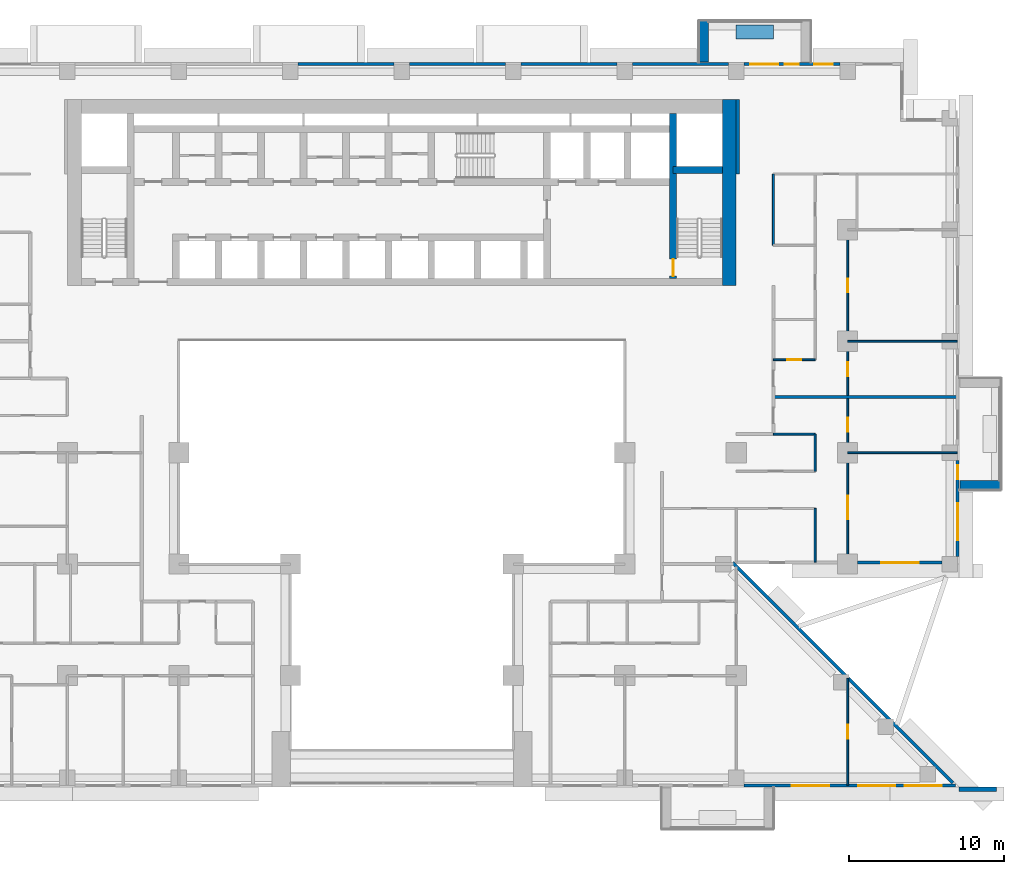
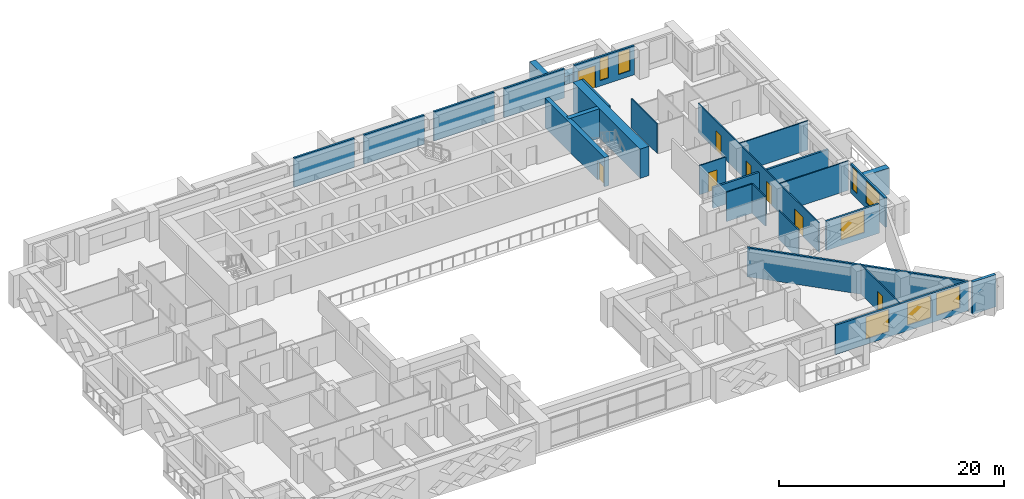
# One storey, part 11 of 16: 27 walls, 8 doors, 8 windows, 16 openings.
"""IFC4 building model written with IfcOpenShell, lengths in metres."""

from ifc_helpers import new_model, si_unit, direction, frame, frame_2d, origin, place, context, subcontext, project, spatial, rectangle, extrude, material, layer, layer_set, type_object, element, fill, save


model = new_model("IFC4")

# Units and contexts
model_context = context("Model", 3, precision=1e-05, world=origin(), true_north=direction((0.0, 1.0)))
body_context = subcontext(model_context, "Body", "Model", "MODEL_VIEW")
ifc_project = project(units=[si_unit("LENGTHUNIT", "METRE"), si_unit("AREAUNIT", "SQUARE_METRE"), si_unit("VOLUMEUNIT", "CUBIC_METRE"), si_unit("PLANEANGLEUNIT", "RADIAN"), si_unit("MASSUNIT", "GRAM", prefix="KILO")], contexts=[model_context])

# Site, building, storey
site_placement = place(None, origin())
site = spatial("IfcSite", under=ifc_project, at=site_placement, CompositionType="ELEMENT")
building_placement = place(site_placement, origin())
building = spatial("IfcBuilding", under=site, at=building_placement, Name="Saffron Iwan Residences", CompositionType="ELEMENT")
storey_placement = place(building_placement, frame((0.0, 0.0, 90.0)))
storey = spatial("IfcBuildingStorey", under=building, at=storey_placement, Name="L23", CompositionType="ELEMENT", Elevation=90.0)

# Walls
ifc_material_1 = material(Name="Concrete C50/60 white painted", Category="concrete")
ifc_layer_1 = layer(ifc_material_1, 0.60009765625)
ifc_layer_set_1 = layer_set([ifc_layer_1], Name="Concrete C50/60 white painted")
wall_type_1 = type_object("IfcWallType", Name="BALCONY FIN 600", PredefinedType="SOLIDWALL", material=ifc_layer_set_1)
for number, where, z_axis, x_axis, name in (
    (1, (86.449951171875, 53.10009765625, 0.0), (0.0, 0.0, 1.0), (1.0, 0.0, 0.0), "Balcony fin L23 F2-0a"),
    (2, (69.89990234375, 80.449951171875, 0.0), (0.0, 0.0, 1.0), (0.0, 1.0, 0.0), "Balcony fin L23 F5-0b"),
):
    element("IfcWall", number, at=place(storey_placement, frame(where, z_axis=z_axis, x_axis=x_axis)), inside=storey, type_object=wall_type_1, Name=name, PredefinedType="SOLIDWALL", context=body_context, shape_type="SweptSolid", body=[
        extrude(rectangle(XDim=2.650146484375, YDim=0.60009765625, at=frame_2d((1.3251953125, 0.0))), origin(), (0.0, 0.0, 1.0), 2.85009765625),
    ])
ifc_material_2 = material(Name="Concrete C35/45 white painted", Category="concrete")
ifc_layer_2 = layer(ifc_material_2, 0.14990234375)
ifc_layer_set_2 = layer_set([ifc_layer_2], Name="Concrete C35/45 white painted")
wall_type_2 = type_object("IfcWallType", Name="BALCONY PLANTER", PredefinedType="SOLIDWALL", material=ifc_layer_set_2)
wall_1_placement = place(storey_placement, frame((74.39990234375, 82.375, 0.0), z_axis=(0.0, 0.0, 1.0), x_axis=(-1.0, 0.0, 0.0)))
element("IfcWall", 3, at=wall_1_placement, inside=storey, type_object=wall_type_2, Name="PLANTER L23 F5-0", PredefinedType="SOLIDWALL", context=body_context, shape_type="SweptSolid", body=[
    extrude(rectangle(XDim=2.39990234375, YDim=0.89990234375, at=frame_2d((1.199951171875, 0.0))), origin(), (0.0, 0.0, 1.0), 0.89990234375),
])
ifc_material_3 = material(Name="Concrete C40/50", Category="concrete")
ifc_layer_3 = layer(ifc_material_3, 0.199951171875)
ifc_layer_set_3 = layer_set([ifc_layer_3], Name="Concrete C40/50")
wall_type_3 = type_object("IfcWallType", Name="EXTERNAL WALL 200", PredefinedType="SOLIDWALL", material=ifc_layer_set_3)
wall_2_placement = place(storey_placement, frame((85.995849609375, 33.862548828125, 0.0), z_axis=(0.0, 0.0, 1.0), x_axis=(-0.707100718496, 0.707112843825, 0.0)))
element("IfcWall", 4, at=wall_2_placement, inside=storey, type_object=wall_type_3, Name="External wall L23 F0.0", PredefinedType="SOLIDWALL", context=body_context, shape_type="SweptSolid", body=[
    extrude(rectangle(XDim=20.134765625, YDim=0.199951171875, at=frame_2d((10.0673828125, 0.0))), origin(), (0.0, 0.0, 1.0), 3.179931640625),
])

# Wall, opening, window
wall_3_placement = place(storey_placement, frame((79.85009765625, 48.10009765625, 0.0), z_axis=(0.0, 0.0, 1.0), x_axis=(1.0, 0.0, 0.0)))
wall_3 = element("IfcWall", 5, at=wall_3_placement, inside=storey, type_object=wall_type_3, Name="External wall L23 F1.1", PredefinedType="SOLIDWALL", context=body_context, shape_type="SweptSolid", body=[
    extrude(rectangle(XDim=5.449951171875, YDim=0.199951171875, at=frame_2d((2.72509765625, 0.0))), origin(), (0.0, 0.0, 1.0), 3.179931640625),
])
opening_1_placement = place(wall_3_placement, frame((1.52490234375, 0.0, 0.60009765625)))
opening_1 = element("IfcOpeningElement", 6, at=opening_1_placement, cuts=wall_3, Name="Opening W1", PredefinedType="OPENING", context=body_context, shape_type="SweptSolid", body=[
    extrude(rectangle(XDim=2.39990234375, YDim=2.39990234375, at=frame_2d((1.199951171875, 1.199951171875))), frame((0.0, 0.10986328125, 0.0), z_axis=(0.0, -1.0, 0.0), x_axis=(1.0, 0.0, 0.0)), (0.0, 0.0, 1.0), 0.219970703125),
])
ifc_material_4 = material(Name="Clear glass, laminated double glazed", Category="glass")
window_type_1 = type_object("IfcWindowType", Name="WINDOW 2400 x 2400", PartitioningType="DOUBLE_PANEL_VERTICAL", PredefinedType="WINDOW", material=ifc_material_4)
window_1_placement = place(opening_1_placement, origin())
window_1 = element("IfcWindow", 7, at=window_1_placement, inside=storey, type_object=window_type_1, Name="Window L23 F1.0", OverallHeight=2.39990234375, OverallWidth=2.39990234375, PartitioningType="DOUBLE_PANEL_VERTICAL", PredefinedType="WINDOW", context=body_context, shape_type="SweptSolid", body=[
    extrude(rectangle(XDim=2.39990234375, YDim=2.39990234375, at=frame_2d((1.199951171875, 1.199951171875))), frame((0.0, 0.030029296875, 0.0), z_axis=(0.0, -1.0, 0.0), x_axis=(1.0, 0.0, 0.0)), (0.0, 0.0, 1.0), 0.06005859375),
])
fill(opening_1, window_1)

# Wall, openings, windows
wall_4_placement = place(storey_placement, frame((86.300048828125, 48.5, 0.0), z_axis=(0.0, 0.0, 1.0), x_axis=(0.0, 1.0, 0.0)))
wall_4 = element("IfcWall", 8, at=wall_4_placement, inside=storey, type_object=wall_type_3, Name="External wall L23 F2.0", PredefinedType="SOLIDWALL", context=body_context, shape_type="SweptSolid", body=[
    extrude(rectangle(XDim=6.199951171875, YDim=0.199951171875, at=frame_2d((3.10009765625, 0.0))), origin(), (0.0, 0.0, 1.0), 3.179931640625),
])
opening_2_placement = place(wall_4_placement, frame((1.050048828125, 0.0, 0.60009765625)))
opening_2 = element("IfcOpeningElement", 9, at=opening_2_placement, cuts=wall_4, Name="Opening W1", PredefinedType="OPENING", context=body_context, shape_type="SweptSolid", body=[
    extrude(rectangle(XDim=2.39990234375, YDim=2.39990234375, at=frame_2d((1.199951171875, 1.199951171875))), frame((0.0, 0.10986328125, 0.0), z_axis=(0.0, -1.0, 0.0), x_axis=(1.0, 0.0, 0.0)), (0.0, 0.0, 1.0), 0.219970703125),
])
opening_3_placement = place(wall_4_placement, frame((5.0, 0.0, 0.60009765625)))
opening_3 = element("IfcOpeningElement", 10, at=opening_3_placement, cuts=wall_4, Name="Opening W10", PredefinedType="OPENING", context=body_context, shape_type="SweptSolid", body=[
    extrude(rectangle(XDim=0.89990234375, YDim=2.39990234375, at=frame_2d((0.449951171875, 1.199951171875))), frame((0.0, 0.10986328125, 0.0), z_axis=(0.0, -1.0, 0.0), x_axis=(1.0, 0.0, 0.0)), (0.0, 0.0, 1.0), 0.219970703125),
])
window_2_placement = place(opening_2_placement, origin())
window_2 = element("IfcWindow", 11, at=window_2_placement, inside=storey, type_object=window_type_1, Name="Window L23 F2.0", OverallHeight=2.39990234375, OverallWidth=2.39990234375, PartitioningType="DOUBLE_PANEL_VERTICAL", PredefinedType="WINDOW", context=body_context, shape_type="SweptSolid", body=[
    extrude(rectangle(XDim=2.39990234375, YDim=2.39990234375, at=frame_2d((1.199951171875, 1.199951171875))), frame((0.0, 0.030029296875, 0.0), z_axis=(0.0, -1.0, 0.0), x_axis=(1.0, 0.0, 0.0)), (0.0, 0.0, 1.0), 0.06005859375),
])
fill(opening_2, window_2)
window_type_2 = type_object("IfcWindowType", Name="WINDOW 900 x 2400", PartitioningType="SINGLE_PANEL", PredefinedType="WINDOW", material=ifc_material_4)
window_3_placement = place(opening_3_placement, origin())
window_3 = element("IfcWindow", 12, at=window_3_placement, inside=storey, type_object=window_type_2, Name="Window L23 F2.1", OverallHeight=2.39990234375, OverallWidth=0.89990234375, PartitioningType="SINGLE_PANEL", PredefinedType="WINDOW", context=body_context, shape_type="SweptSolid", body=[
    extrude(rectangle(XDim=0.89990234375, YDim=2.39990234375, at=frame_2d((0.449951171875, 1.199951171875))), frame((0.0, 0.030029296875, 0.0), z_axis=(0.0, -1.0, 0.0), x_axis=(1.0, 0.0, 0.0)), (0.0, 0.0, 1.0), 0.06005859375),
])
fill(opening_3, window_3)

# Wall, openings, door, windows
wall_5_placement = place(storey_placement, frame((78.699951171875, 80.300048828125, 0.0), z_axis=(0.0, 0.0, 1.0), x_axis=(-1.0, 0.0, 0.0)))
wall_5 = element("IfcWall", 13, at=wall_5_placement, inside=storey, type_object=wall_type_3, Name="External wall L23 F5.1", PredefinedType="SOLIDWALL", context=body_context, shape_type="SweptSolid", body=[
    extrude(rectangle(XDim=6.199951171875, YDim=0.199951171875, at=frame_2d((3.10009765625, 0.0))), origin(), (0.0, 0.0, 1.0), 3.179931640625),
])
opening_4_placement = place(wall_5_placement, frame((4.0, 0.0, 0.0)))
opening_4 = element("IfcOpeningElement", 14, at=opening_4_placement, cuts=wall_5, Name="Opening BD1", PredefinedType="OPENING", context=body_context, shape_type="SweptSolid", body=[
    extrude(rectangle(XDim=1.800048828125, YDim=2.39990234375, at=frame_2d((0.89990234375, 1.199951171875))), frame((0.0, 0.10986328125, 0.0), z_axis=(0.0, -1.0, 0.0), x_axis=(1.0, 0.0, 0.0)), (0.0, 0.0, 1.0), 0.219970703125),
])
opening_5_placement = place(wall_5_placement, frame((0.449951171875, 0.0, 0.60009765625)))
opening_5 = element("IfcOpeningElement", 15, at=opening_5_placement, cuts=wall_5, Name="Opening W3", PredefinedType="OPENING", context=body_context, shape_type="SweptSolid", body=[
    extrude(rectangle(XDim=1.199951171875, YDim=2.39990234375, at=frame_2d((0.60009765625, 1.199951171875))), frame((0.0, 0.10986328125, 0.0), z_axis=(0.0, -1.0, 0.0), x_axis=(1.0, 0.0, 0.0)), (0.0, 0.0, 1.0), 0.219970703125),
])
opening_6_placement = place(wall_5_placement, frame((2.64990234375, 0.0, 0.60009765625)))
opening_6 = element("IfcOpeningElement", 16, at=opening_6_placement, cuts=wall_5, Name="Opening W10", PredefinedType="OPENING", context=body_context, shape_type="SweptSolid", body=[
    extrude(rectangle(XDim=0.89990234375, YDim=2.39990234375, at=frame_2d((0.449951171875, 1.199951171875))), frame((0.0, 0.10986328125, 0.0), z_axis=(0.0, -1.0, 0.0), x_axis=(1.0, 0.0, 0.0)), (0.0, 0.0, 1.0), 0.219970703125),
])
door_type_1 = type_object("IfcDoorType", Name="BALCONY DOOR 1800 x 2400", OperationType="DOUBLE_DOOR_SLIDING", PredefinedType="DOOR", material=ifc_material_4)
door_1_placement = place(opening_4_placement, origin())
door_1 = element("IfcDoor", 17, at=door_1_placement, inside=storey, type_object=door_type_1, Name="Balcony door L23 F5.0", OperationType="DOUBLE_DOOR_SLIDING", OverallHeight=2.39990234375, OverallWidth=1.800048828125, PredefinedType="DOOR", context=body_context, shape_type="SweptSolid", body=[
    extrude(rectangle(XDim=1.800048828125, YDim=2.39990234375, at=frame_2d((0.89990234375, 1.199951171875))), frame((0.0, 0.02490234375, 0.0), z_axis=(0.0, -1.0, 0.0), x_axis=(1.0, 0.0, 0.0)), (0.0, 0.0, 1.0), 0.050048828125),
])
fill(opening_4, door_1)
window_type_3 = type_object("IfcWindowType", Name="WINDOW 1200 x 2400", PartitioningType="SINGLE_PANEL", PredefinedType="WINDOW", material=ifc_material_4)
window_4_placement = place(opening_5_placement, origin())
window_4 = element("IfcWindow", 18, at=window_4_placement, inside=storey, type_object=window_type_3, Name="Window L23 F5.1", OverallHeight=2.39990234375, OverallWidth=1.199951171875, PartitioningType="SINGLE_PANEL", PredefinedType="WINDOW", context=body_context, shape_type="SweptSolid", body=[
    extrude(rectangle(XDim=1.199951171875, YDim=2.39990234375, at=frame_2d((0.60009765625, 1.199951171875))), frame((0.0, 0.030029296875, 0.0), z_axis=(0.0, -1.0, 0.0), x_axis=(1.0, 0.0, 0.0)), (0.0, 0.0, 1.0), 0.06005859375),
])
fill(opening_5, window_4)
window_5_placement = place(opening_6_placement, origin())
window_5 = element("IfcWindow", 19, at=window_5_placement, inside=storey, type_object=window_type_2, Name="Window L23 F5.2", OverallHeight=2.39990234375, OverallWidth=0.89990234375, PartitioningType="SINGLE_PANEL", PredefinedType="WINDOW", context=body_context, shape_type="SweptSolid", body=[
    extrude(rectangle(XDim=0.89990234375, YDim=2.39990234375, at=frame_2d((0.449951171875, 1.199951171875))), frame((0.0, 0.030029296875, 0.0), z_axis=(0.0, -1.0, 0.0), x_axis=(1.0, 0.0, 0.0)), (0.0, 0.0, 1.0), 0.06005859375),
])
fill(opening_6, window_5)

# Walls
for number, where, z_axis, x_axis, name in (
    (20, (71.5, 80.300048828125, 0.0), (0.0, 0.0, 1.0), (-1.0, 0.0, 0.0), "External wall L23 F5.2"),
    (21, (64.300048828125, 80.300048828125, 0.0), (0.0, 0.0, 1.0), (-1.0, 0.0, 0.0), "External wall L23 F5.3"),
):
    element("IfcWall", number, at=place(storey_placement, frame(where, z_axis=z_axis, x_axis=x_axis)), inside=storey, type_object=wall_type_3, Name=name, PredefinedType="SOLIDWALL", context=body_context, shape_type="SweptSolid", body=[
        extrude(rectangle(XDim=6.199951171875, YDim=0.199951171875, at=frame_2d((3.10009765625, 0.0))), origin(), (0.0, 0.0, 1.0), 3.179931640625),
    ])
wall_6_placement = place(storey_placement, frame((57.10009765625, 80.300048828125, 0.0), z_axis=(0.0, 0.0, 1.0), x_axis=(-1.0, 0.0, 0.0)))
element("IfcWall", 22, at=wall_6_placement, inside=storey, type_object=wall_type_3, Name="External wall L23 F5.4", PredefinedType="SOLIDWALL", context=body_context, shape_type="SweptSolid", body=[
    extrude(rectangle(XDim=6.2001953125, YDim=0.199951171875, at=frame_2d((3.10009765625, 0.0))), origin(), (0.0, 0.0, 1.0), 3.179931640625),
])
wall_7_placement = place(storey_placement, frame((49.89990234375, 80.300048828125, 0.0), z_axis=(0.0, 0.0, 1.0), x_axis=(-1.0, 0.0, 0.0)))
element("IfcWall", 23, at=wall_7_placement, inside=storey, type_object=wall_type_3, Name="External wall L23 F5.5", PredefinedType="SOLIDWALL", context=body_context, shape_type="SweptSolid", body=[
    extrude(rectangle(XDim=6.199951171875, YDim=0.199951171875, at=frame_2d((3.10009765625, 0.0))), origin(), (0.0, 0.0, 1.0), 3.179931640625),
])

# Wall, openings, windows
wall_8_placement = place(storey_placement, frame((72.5, 33.699951171875, 0.0), z_axis=(0.0, 0.0, 1.0), x_axis=(1.0, 0.0, 0.0)))
wall_8 = element("IfcWall", 24, at=wall_8_placement, inside=storey, type_object=wall_type_3, Name="External wall L23 F11.6", PredefinedType="SOLIDWALL", context=body_context, shape_type="SweptSolid", body=[
    extrude(rectangle(XDim=13.65869140625, YDim=0.199951171875, at=frame_2d((6.829345703125, 0.0))), origin(), (0.0, 0.0, 1.0), 3.179931640625),
])
opening_7_placement = place(wall_8_placement, frame((3.10009765625, 0.0, 0.60009765625)))
opening_7 = element("IfcOpeningElement", 25, at=opening_7_placement, cuts=wall_8, Name="Opening W1", PredefinedType="OPENING", context=body_context, shape_type="SweptSolid", body=[
    extrude(rectangle(XDim=2.39990234375, YDim=2.39990234375, at=frame_2d((1.199951171875, 1.199951171875))), frame((0.0, 0.10986328125, 0.0), z_axis=(0.0, -1.0, 0.0), x_axis=(1.0, 0.0, 0.0)), (0.0, 0.0, 1.0), 0.219970703125),
])
opening_8_placement = place(wall_8_placement, frame((7.38623046875, 0.0, 0.60009765625)))
opening_8 = element("IfcOpeningElement", 26, at=opening_8_placement, cuts=wall_8, Name="Opening W1", PredefinedType="OPENING", context=body_context, shape_type="SweptSolid", body=[
    extrude(rectangle(XDim=2.39990234375, YDim=2.39990234375, at=frame_2d((1.199951171875, 1.199951171875))), frame((0.0, 0.10986328125, 0.0), z_axis=(0.0, -1.0, 0.0), x_axis=(1.0, 0.0, 0.0)), (0.0, 0.0, 1.0), 0.219970703125),
])
opening_9_placement = place(wall_8_placement, frame((10.372314453125, 0.0, 0.60009765625)))
opening_9 = element("IfcOpeningElement", 27, at=opening_9_placement, cuts=wall_8, Name="Opening W1", PredefinedType="OPENING", context=body_context, shape_type="SweptSolid", body=[
    extrude(rectangle(XDim=2.39990234375, YDim=2.39990234375, at=frame_2d((1.199951171875, 1.199951171875))), frame((0.0, 0.10986328125, 0.0), z_axis=(0.0, -1.0, 0.0), x_axis=(1.0, 0.0, 0.0)), (0.0, 0.0, 1.0), 0.219970703125),
])
window_6_placement = place(opening_7_placement, origin())
window_6 = element("IfcWindow", 28, at=window_6_placement, inside=storey, type_object=window_type_1, Name="Window L23 F11.0", OverallHeight=2.39990234375, OverallWidth=2.39990234375, PartitioningType="DOUBLE_PANEL_VERTICAL", PredefinedType="WINDOW", context=body_context, shape_type="SweptSolid", body=[
    extrude(rectangle(XDim=2.39990234375, YDim=2.39990234375, at=frame_2d((1.199951171875, 1.199951171875))), frame((0.0, 0.030029296875, 0.0), z_axis=(0.0, -1.0, 0.0), x_axis=(1.0, 0.0, 0.0)), (0.0, 0.0, 1.0), 0.06005859375),
])
fill(opening_7, window_6)
window_7_placement = place(opening_8_placement, origin())
window_7 = element("IfcWindow", 29, at=window_7_placement, inside=storey, type_object=window_type_1, Name="Window L23 F11.1", OverallHeight=2.39990234375, OverallWidth=2.39990234375, PartitioningType="DOUBLE_PANEL_VERTICAL", PredefinedType="WINDOW", context=body_context, shape_type="SweptSolid", body=[
    extrude(rectangle(XDim=2.39990234375, YDim=2.39990234375, at=frame_2d((1.199951171875, 1.199951171875))), frame((0.0, 0.030029296875, 0.0), z_axis=(0.0, -1.0, 0.0), x_axis=(1.0, 0.0, 0.0)), (0.0, 0.0, 1.0), 0.06005859375),
])
fill(opening_8, window_7)
window_8_placement = place(opening_9_placement, origin())
window_8 = element("IfcWindow", 30, at=window_8_placement, inside=storey, type_object=window_type_1, Name="Window L23 F11.2", OverallHeight=2.39990234375, OverallWidth=2.39990234375, PartitioningType="DOUBLE_PANEL_VERTICAL", PredefinedType="WINDOW", context=body_context, shape_type="SweptSolid", body=[
    extrude(rectangle(XDim=2.39990234375, YDim=2.39990234375, at=frame_2d((1.199951171875, 1.199951171875))), frame((0.0, 0.030029296875, 0.0), z_axis=(0.0, -1.0, 0.0), x_axis=(1.0, 0.0, 0.0)), (0.0, 0.0, 1.0), 0.06005859375),
])
fill(opening_9, window_8)

# Walls
ifc_material_5 = material(Name="Fire-rated gypsum board wall")
ifc_layer_4 = layer(ifc_material_5, 0.199951171875)
ifc_layer_set_4 = layer_set([ifc_layer_4], Name="Fire-rated gypsum board wall")
wall_type_4 = type_object("IfcWallType", Name="Flat demising wall 200", PredefinedType="SOLIDWALL", material=ifc_layer_set_4)
wall_9_placement = place(storey_placement, frame((74.39990234375, 58.800048828125, 0.0), z_axis=(0.0, 0.0, 1.0), x_axis=(1.0, 0.0, 0.0)))
element("IfcWall", 31, at=wall_9_placement, inside=storey, type_object=wall_type_4, Name="W-L23-DEMISE-h58.8-74.4", PredefinedType="SOLIDWALL", context=body_context, shape_type="SweptSolid", body=[
    extrude(rectangle(XDim=11.875, YDim=0.199951171875, at=frame_2d((5.9375, 0.0))), origin(), (0.0, 0.0, 1.0), 2.280029296875),
])
ifc_material_6 = material(Name="Gypsum board partition")
ifc_layer_5 = layer(ifc_material_6, 0.1201171875)
ifc_layer_set_5 = layer_set([ifc_layer_5], Name="Gypsum board partition")
wall_type_5 = type_object("IfcWallType", Name="Flat partition 120", PredefinedType="PARTITIONING", material=ifc_layer_set_5)
wall_10_placement = place(storey_placement, frame((79.199951171875, 55.199951171875, 0.0), z_axis=(0.0, 0.0, 1.0), x_axis=(1.0, 0.0, 0.0)))
element("IfcWall", 32, at=wall_10_placement, inside=storey, type_object=wall_type_5, Name="W-L23-PART-h55.2-79.2", PredefinedType="PARTITIONING", context=body_context, shape_type="SweptSolid", body=[
    extrude(rectangle(XDim=7.074951171875, YDim=0.1201171875, at=frame_2d((3.53759765625, 0.0))), origin(), (0.0, 0.0, 1.0), 3.179931640625),
])
wall_11_placement = place(storey_placement, frame((74.39990234375, 56.39990234375, 0.0), z_axis=(0.0, 0.0, 1.0), x_axis=(1.0, 0.0, 0.0)))
element("IfcWall", 33, at=wall_11_placement, inside=storey, type_object=wall_type_5, Name="W-L23-PART-h56.4-74.4", PredefinedType="PARTITIONING", context=body_context, shape_type="SweptSolid", body=[
    extrude(rectangle(XDim=2.7001953125, YDim=0.1201171875, at=frame_2d((1.35009765625, 0.0))), origin(), (0.0, 0.0, 1.0), 3.179931640625),
])

# Wall, opening, door
wall_12_placement = place(storey_placement, frame((74.39990234375, 61.199951171875, 0.0), z_axis=(0.0, 0.0, 1.0), x_axis=(1.0, 0.0, 0.0)))
wall_12 = element("IfcWall", 34, at=wall_12_placement, inside=storey, type_object=wall_type_5, Name="W-L23-PART-h61.2-74.4", PredefinedType="PARTITIONING", context=body_context, shape_type="SweptSolid", body=[
    extrude(rectangle(XDim=2.7001953125, YDim=0.1201171875, at=frame_2d((1.35009765625, 0.0))), origin(), (0.0, 0.0, 1.0), 3.179931640625),
])
opening_10_placement = place(wall_12_placement, frame((0.89990234375, 0.0, 0.0)))
opening_10 = element("IfcOpeningElement", 35, at=opening_10_placement, cuts=wall_12, Name="Opening FD2", PredefinedType="OPENING", context=body_context, shape_type="SweptSolid", body=[
    extrude(rectangle(XDim=0.89990234375, YDim=2.10009765625, at=frame_2d((0.449951171875, 1.050048828125))), frame((0.0, 0.070068359375, 0.0), z_axis=(0.0, -1.0, 0.0), x_axis=(1.0, 0.0, 0.0)), (0.0, 0.0, 1.0), 0.14013671875),
])
ifc_material_7 = material(Name="Timber door", Category="wood")
door_type_2 = type_object("IfcDoorType", Name="Flat door 900", OperationType="NOTDEFINED", PredefinedType="DOOR", material=ifc_material_7)
door_2_placement = place(opening_10_placement, origin())
door_2 = element("IfcDoor", 36, at=door_2_placement, inside=storey, type_object=door_type_2, Name="Door L23-039", OperationType="SINGLE_SWING_LEFT", OverallHeight=2.10009765625, OverallWidth=0.89990234375, PredefinedType="DOOR", context=body_context, shape_type="SweptSolid", body=[
    extrude(rectangle(XDim=0.89990234375, YDim=2.10009765625, at=frame_2d((0.449951171875, 1.050048828125))), frame((0.0, 0.02490234375, 0.0), z_axis=(0.0, -1.0, 0.0), x_axis=(1.0, 0.0, 0.0)), (0.0, 0.0, 1.0), 0.050048828125),
])
fill(opening_10, door_2)

# Walls
wall_13_placement = place(storey_placement, frame((79.199951171875, 62.39990234375, 0.0), z_axis=(0.0, 0.0, 1.0), x_axis=(1.0, 0.0, 0.0)))
element("IfcWall", 37, at=wall_13_placement, inside=storey, type_object=wall_type_5, Name="W-L23-PART-h62.4-79.2", PredefinedType="PARTITIONING", context=body_context, shape_type="SweptSolid", body=[
    extrude(rectangle(XDim=7.074951171875, YDim=0.1201171875, at=frame_2d((3.53759765625, 0.0))), origin(), (0.0, 0.0, 1.0), 3.179931640625),
])
wall_14_placement = place(storey_placement, frame((74.39990234375, 68.60009765625, 0.0), z_axis=(0.0, 0.0, 1.0), x_axis=(0.0, 1.0, 0.0)))
element("IfcWall", 38, at=wall_14_placement, inside=storey, type_object=wall_type_5, Name="W-L23-PART-v74.4-68.6", PredefinedType="PARTITIONING", context=body_context, shape_type="SweptSolid", body=[
    extrude(rectangle(XDim=4.599853515625, YDim=0.1201171875, at=frame_2d((2.2998046875, 0.0))), origin(), (0.0, 0.0, 1.0), 3.179931640625),
])
wall_15_placement = place(storey_placement, frame((77.10009765625, 48.125, 0.0), z_axis=(0.0, 0.0, 1.0), x_axis=(0.0, 1.0, 0.0)))
element("IfcWall", 39, at=wall_15_placement, inside=storey, type_object=wall_type_5, Name="W-L23-PART-v77.1-48.125", PredefinedType="PARTITIONING", context=body_context, shape_type="SweptSolid", body=[
    extrude(rectangle(XDim=3.47509765625, YDim=0.1201171875, at=frame_2d((1.737548828125, 0.0))), origin(), (0.0, 0.0, 1.0), 3.179931640625),
])
wall_16_placement = place(storey_placement, frame((77.10009765625, 54.0, 0.0), z_axis=(0.0, 0.0, 1.0), x_axis=(0.0, 1.0, 0.0)))
element("IfcWall", 40, at=wall_16_placement, inside=storey, type_object=wall_type_5, Name="W-L23-PART-v77.1-54", PredefinedType="PARTITIONING", context=body_context, shape_type="SweptSolid", body=[
    extrude(rectangle(XDim=2.39990234375, YDim=0.1201171875, at=frame_2d((1.199951171875, 0.0))), origin(), (0.0, 0.0, 1.0), 3.179931640625),
])

# Wall, opening, door
wall_17_placement = place(storey_placement, frame((79.199951171875, 33.72509765625, 0.0), z_axis=(0.0, 0.0, 1.0), x_axis=(0.0, 1.0, 0.0)))
wall_17 = element("IfcWall", 41, at=wall_17_placement, inside=storey, type_object=wall_type_5, Name="W-L23-PART-v79.2-33.725", PredefinedType="PARTITIONING", context=body_context, shape_type="SweptSolid", body=[
    extrude(rectangle(XDim=6.89794921875, YDim=0.1201171875, at=frame_2d((3.448974609375, 0.0))), origin(), (0.0, 0.0, 1.0), 3.179931640625),
])
opening_11_placement = place(wall_17_placement, frame((2.9990234375, 0.0, 0.0)))
opening_11 = element("IfcOpeningElement", 42, at=opening_11_placement, cuts=wall_17, Name="Opening FD2", PredefinedType="OPENING", context=body_context, shape_type="SweptSolid", body=[
    extrude(rectangle(XDim=0.89990234375, YDim=2.10009765625, at=frame_2d((0.449951171875, 1.050048828125))), frame((0.0, 0.070068359375, 0.0), z_axis=(0.0, -1.0, 0.0), x_axis=(1.0, 0.0, 0.0)), (0.0, 0.0, 1.0), 0.14013671875),
])
door_3_placement = place(opening_11_placement, origin())
door_3 = element("IfcDoor", 43, at=door_3_placement, inside=storey, type_object=door_type_2, Name="Door L23-050", OperationType="SINGLE_SWING_RIGHT", OverallHeight=2.10009765625, OverallWidth=0.89990234375, PredefinedType="DOOR", context=body_context, shape_type="SweptSolid", body=[
    extrude(rectangle(XDim=0.89990234375, YDim=2.10009765625, at=frame_2d((0.449951171875, 1.050048828125))), frame((0.0, 0.02490234375, 0.0), z_axis=(0.0, -1.0, 0.0), x_axis=(1.0, 0.0, 0.0)), (0.0, 0.0, 1.0), 0.050048828125),
])
fill(opening_11, door_3)

# Wall, openings, doors
wall_18_placement = place(storey_placement, frame((79.199951171875, 48.125, 0.0), z_axis=(0.0, 0.0, 1.0), x_axis=(0.0, 1.0, 0.0)))
wall_18 = element("IfcWall", 44, at=wall_18_placement, inside=storey, type_object=wall_type_5, Name="W-L23-PART-v79.2-48.125", PredefinedType="PARTITIONING", context=body_context, shape_type="SweptSolid", body=[
    extrude(rectangle(XDim=21.47509765625, YDim=0.1201171875, at=frame_2d((10.737548828125, 0.0))), origin(), (0.0, 0.0, 1.0), 3.179931640625),
])
opening_12_placement = place(wall_18_placement, frame((2.78759765625, 0.0, 0.0)))
opening_12 = element("IfcOpeningElement", 45, at=opening_12_placement, cuts=wall_18, Name="Opening FD4", PredefinedType="OPENING", context=body_context, shape_type="SweptSolid", body=[
    extrude(rectangle(XDim=1.5, YDim=2.10009765625, at=frame_2d((0.75, 1.050048828125))), frame((0.0, 0.070068359375, 0.0), z_axis=(0.0, -1.0, 0.0), x_axis=(1.0, 0.0, 0.0)), (0.0, 0.0, 1.0), 0.14013671875),
])
opening_13_placement = place(wall_18_placement, frame((8.425048828125, 0.0, 0.0)))
opening_13 = element("IfcOpeningElement", 46, at=opening_13_placement, cuts=wall_18, Name="Opening FD2", PredefinedType="OPENING", context=body_context, shape_type="SweptSolid", body=[
    extrude(rectangle(XDim=0.89990234375, YDim=2.10009765625, at=frame_2d((0.449951171875, 1.050048828125))), frame((0.0, 0.070068359375, 0.0), z_axis=(0.0, -1.0, 0.0), x_axis=(1.0, 0.0, 0.0)), (0.0, 0.0, 1.0), 0.14013671875),
])
opening_14_placement = place(wall_18_placement, frame((12.02490234375, 0.0, 0.0)))
opening_14 = element("IfcOpeningElement", 47, at=opening_14_placement, cuts=wall_18, Name="Opening FD2", PredefinedType="OPENING", context=body_context, shape_type="SweptSolid", body=[
    extrude(rectangle(XDim=0.89990234375, YDim=2.10009765625, at=frame_2d((0.449951171875, 1.050048828125))), frame((0.0, 0.070068359375, 0.0), z_axis=(0.0, -1.0, 0.0), x_axis=(1.0, 0.0, 0.0)), (0.0, 0.0, 1.0), 0.14013671875),
])
opening_15_placement = place(wall_18_placement, frame((17.425048828125, 0.0, 0.0)))
opening_15 = element("IfcOpeningElement", 48, at=opening_15_placement, cuts=wall_18, Name="Opening FD2", PredefinedType="OPENING", context=body_context, shape_type="SweptSolid", body=[
    extrude(rectangle(XDim=0.89990234375, YDim=2.10009765625, at=frame_2d((0.449951171875, 1.050048828125))), frame((0.0, 0.070068359375, 0.0), z_axis=(0.0, -1.0, 0.0), x_axis=(1.0, 0.0, 0.0)), (0.0, 0.0, 1.0), 0.14013671875),
])
door_type_3 = type_object("IfcDoorType", Name="Double door 1500", OperationType="NOTDEFINED", PredefinedType="DOOR", material=ifc_material_7)
door_4_placement = place(opening_12_placement, origin())
door_4 = element("IfcDoor", 49, at=door_4_placement, inside=storey, type_object=door_type_3, Name="Door L23-022", OperationType="SINGLE_SWING_LEFT", OverallHeight=2.10009765625, OverallWidth=1.5, PredefinedType="DOOR", context=body_context, shape_type="SweptSolid", body=[
    extrude(rectangle(XDim=1.5, YDim=2.10009765625, at=frame_2d((0.75, 1.050048828125))), frame((0.0, 0.02490234375, 0.0), z_axis=(0.0, -1.0, 0.0), x_axis=(1.0, 0.0, 0.0)), (0.0, 0.0, 1.0), 0.050048828125),
])
fill(opening_12, door_4)
door_5_placement = place(opening_13_placement, origin())
door_5 = element("IfcDoor", 50, at=door_5_placement, inside=storey, type_object=door_type_2, Name="Door L23-023", OperationType="SINGLE_SWING_RIGHT", OverallHeight=2.10009765625, OverallWidth=0.89990234375, PredefinedType="DOOR", context=body_context, shape_type="SweptSolid", body=[
    extrude(rectangle(XDim=0.89990234375, YDim=2.10009765625, at=frame_2d((0.449951171875, 1.050048828125))), frame((0.0, 0.02490234375, 0.0), z_axis=(0.0, -1.0, 0.0), x_axis=(1.0, 0.0, 0.0)), (0.0, 0.0, 1.0), 0.050048828125),
])
fill(opening_13, door_5)
door_6_placement = place(opening_14_placement, origin())
door_6 = element("IfcDoor", 51, at=door_6_placement, inside=storey, type_object=door_type_2, Name="Door L23-035", OperationType="SINGLE_SWING_RIGHT", OverallHeight=2.10009765625, OverallWidth=0.89990234375, PredefinedType="DOOR", context=body_context, shape_type="SweptSolid", body=[
    extrude(rectangle(XDim=0.89990234375, YDim=2.10009765625, at=frame_2d((0.449951171875, 1.050048828125))), frame((0.0, 0.02490234375, 0.0), z_axis=(0.0, -1.0, 0.0), x_axis=(1.0, 0.0, 0.0)), (0.0, 0.0, 1.0), 0.050048828125),
])
fill(opening_14, door_6)
door_7_placement = place(opening_15_placement, origin())
door_7 = element("IfcDoor", 52, at=door_7_placement, inside=storey, type_object=door_type_2, Name="Door L23-036", OperationType="SINGLE_SWING_LEFT", OverallHeight=2.10009765625, OverallWidth=0.89990234375, PredefinedType="DOOR", context=body_context, shape_type="SweptSolid", body=[
    extrude(rectangle(XDim=0.89990234375, YDim=2.10009765625, at=frame_2d((0.449951171875, 1.050048828125))), frame((0.0, 0.02490234375, 0.0), z_axis=(0.0, -1.0, 0.0), x_axis=(1.0, 0.0, 0.0)), (0.0, 0.0, 1.0), 0.050048828125),
])
fill(opening_15, door_7)

# Walls
ifc_layer_6 = layer(ifc_material_5, 0.199951171875)
ifc_layer_set_6 = layer_set([ifc_layer_6], Name="Fire-rated gypsum board wall")
wall_type_6 = type_object("IfcWallType", Name="Gallery wall 200", PredefinedType="SOLIDWALL", material=ifc_layer_set_6)
wall_19_placement = place(storey_placement, frame((72.10009765625, 73.199951171875, 0.0), z_axis=(0.0, 0.0, 1.0), x_axis=(0.0, 1.0, 0.0)))
element("IfcWall", 53, at=wall_19_placement, inside=storey, type_object=wall_type_6, Name="W-L23-CORR-v72-73.2", PredefinedType="SOLIDWALL", context=body_context, shape_type="SweptSolid", body=[
    extrude(rectangle(XDim=4.800048828125, YDim=0.199951171875, at=frame_2d((2.39990234375, 0.0))), origin(), (0.0, 0.0, 1.0), 3.179931640625),
])
ifc_layer_7 = layer(ifc_material_1, 0.300048828125)
ifc_layer_set_7 = layer_set([ifc_layer_7], Name="Concrete C50/60 white painted")
wall_type_7 = type_object("IfcWallType", Name="PROW BLADE 300", PredefinedType="SOLIDWALL", material=ifc_layer_set_7)
wall_20_placement = place(storey_placement, frame((86.39990234375, 33.449951171875, -0.320068359375), z_axis=(0.0, 0.0, 1.0), x_axis=(1.0, 0.0, 0.0)))
element("IfcWall", 54, at=wall_20_placement, inside=storey, type_object=wall_type_7, Name="Prow blade L23", PredefinedType="SOLIDWALL", context=body_context, shape_type="SweptSolid", body=[
    extrude(rectangle(XDim=2.400146484375, YDim=0.300048828125, at=frame_2d((1.2001953125, 0.0))), origin(), (0.0, 0.0, 1.0), 3.5),
])
ifc_material_8 = material(Name="Concrete C60/75", Category="concrete")
ifc_layer_8 = layer(ifc_material_8, 0.449951171875)
ifc_layer_set_8 = layer_set([ifc_layer_8], Name="Concrete C60/75")
wall_type_8 = type_object("IfcWallType", Name="WALL CORE 450 C60/75 3180 HIGH", PredefinedType="SHEAR", material=ifc_layer_set_8)
wall_21_placement = place(storey_placement, frame((67.925048828125, 73.47509765625, 0.0), z_axis=(0.0, 0.0, 1.0), x_axis=(1.0, 0.0, 0.0)))
element("IfcWall", 55, at=wall_21_placement, inside=storey, type_object=wall_type_8, Name="Core wall", PredefinedType="SHEAR", context=body_context, shape_type="SweptSolid", body=[
    extrude(rectangle(XDim=3.175048828125, YDim=0.449951171875, at=frame_2d((1.58740234375, 0.0))), origin(), (0.0, 0.0, 1.0), 3.179931640625),
])

# Wall, opening, door
wall_22_placement = place(storey_placement, frame((67.925048828125, 66.449951171875, 0.0), z_axis=(0.0, 0.0, 1.0), x_axis=(0.0, 1.0, 0.0)))
wall_22 = element("IfcWall", 56, at=wall_22_placement, inside=storey, type_object=wall_type_8, Name="Core wall", PredefinedType="SHEAR", context=body_context, shape_type="SweptSolid", body=[
    extrude(rectangle(XDim=10.650146484375, YDim=0.449951171875, at=frame_2d((5.3251953125, 0.0))), origin(), (0.0, 0.0, 1.0), 3.179931640625),
])
opening_16_placement = place(wall_22_placement, frame((0.14990234375, 0.0, 0.0)))
opening_16 = element("IfcOpeningElement", 57, at=opening_16_placement, cuts=wall_22, Name="Opening SD", PredefinedType="OPENING", context=body_context, shape_type="SweptSolid", body=[
    extrude(rectangle(XDim=1.10009765625, YDim=2.10009765625, at=frame_2d((0.550048828125, 1.050048828125))), frame((0.0, 0.23486328125, 0.0), z_axis=(0.0, -1.0, 0.0), x_axis=(1.0, 0.0, 0.0)), (0.0, 0.0, 1.0), 0.469970703125),
])
ifc_material_9 = material(Name="Steel fire door", Category="steel")
door_type_4 = type_object("IfcDoorType", Name="Stair door 1100", OperationType="NOTDEFINED", PredefinedType="DOOR", material=ifc_material_9)
door_8_placement = place(opening_16_placement, origin())
door_8 = element("IfcDoor", 58, at=door_8_placement, inside=storey, type_object=door_type_4, Name="Stair door ST-E", OperationType="SINGLE_SWING_LEFT", OverallHeight=2.10009765625, OverallWidth=1.10009765625, PredefinedType="DOOR", context=body_context, shape_type="SweptSolid", body=[
    extrude(rectangle(XDim=1.10009765625, YDim=2.10009765625, at=frame_2d((0.550048828125, 1.050048828125))), frame((0.0, 0.02490234375, 0.0), z_axis=(0.0, -1.0, 0.0), x_axis=(1.0, 0.0, 0.0)), (0.0, 0.0, 1.0), 0.050048828125),
])
fill(opening_16, door_8)

# Wall
ifc_layer_9 = layer(ifc_material_8, 0.89990234375)
ifc_layer_set_9 = layer_set([ifc_layer_9], Name="Concrete C60/75")
wall_type_9 = type_object("IfcWallType", Name="WALL CORE 900 C60/75 3180 HIGH", PredefinedType="SHEAR", material=ifc_layer_set_9)
wall_23_placement = place(storey_placement, frame((71.550048828125, 66.0, 0.0), z_axis=(0.0, 0.0, 1.0), x_axis=(0.0, 1.0, 0.0)))
element("IfcWall", 59, at=wall_23_placement, inside=storey, type_object=wall_type_9, Name="Core wall", PredefinedType="SHEAR", context=body_context, shape_type="SweptSolid", body=[
    extrude(rectangle(XDim=12.0, YDim=0.89990234375, at=frame_2d((6.0, 0.0))), origin(), (0.0, 0.0, 1.0), 3.179931640625),
])

save(model, "model.ifc")
